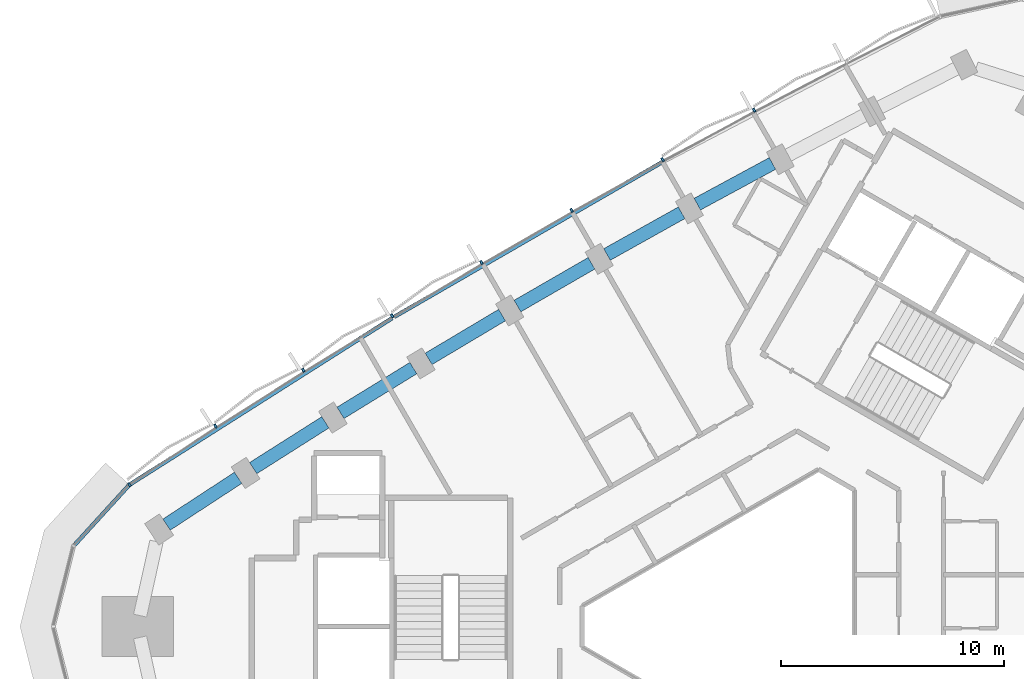
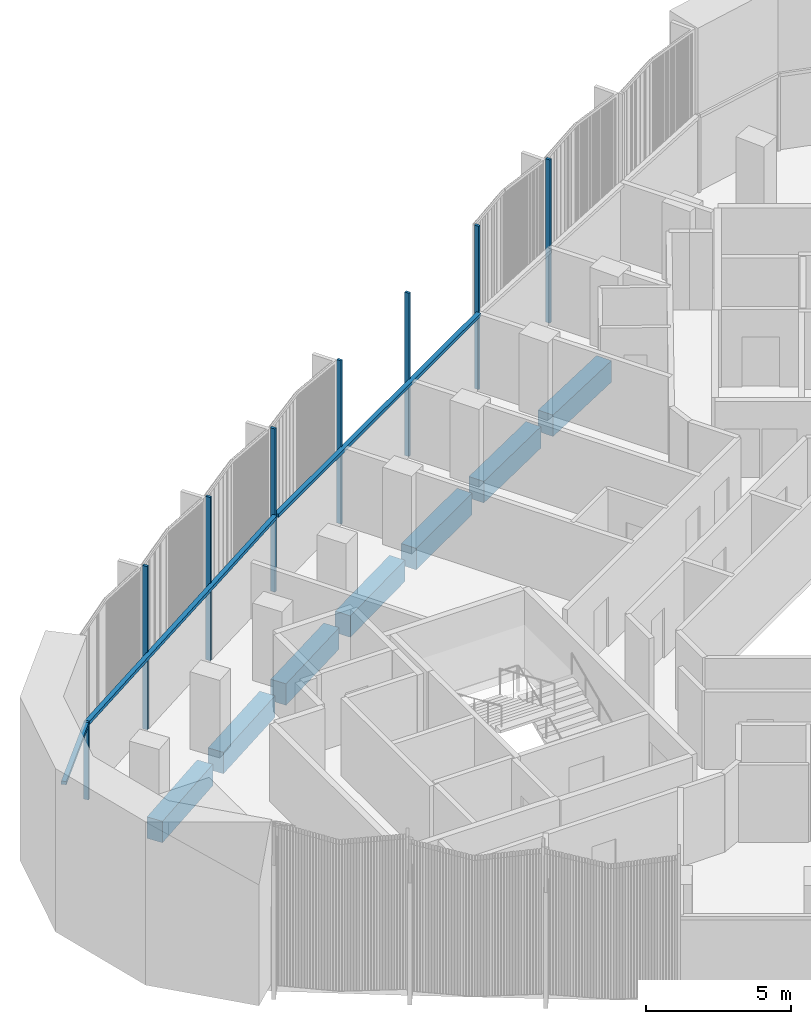
# One storey, part 4 of 14: 11 members, 7 beams, 1 element without a shape of its own.
"""IFC4 building model written with IfcOpenShell, lengths in metres."""

from ifc_helpers import new_model, si_unit, direction, frame, origin, origin_2d, place, context, subcontext, project, spatial, rectangle, extrude, material, material_profile, profile_set, type_object, element, aggregate, save


model = new_model("IFC4")

# Units and contexts
model_context = context("Model", 3, precision=1e-05, world=origin(), true_north=direction((0.0, 1.0)))
body_context = subcontext(model_context, "Body", "Model", "MODEL_VIEW")
ifc_project = project(units=[si_unit("LENGTHUNIT", "METRE"), si_unit("AREAUNIT", "SQUARE_METRE"), si_unit("VOLUMEUNIT", "CUBIC_METRE"), si_unit("PLANEANGLEUNIT", "RADIAN"), si_unit("MASSUNIT", "GRAM", prefix="KILO")], contexts=[model_context])

# Site, building, storey
site_placement = place(None, origin())
site = spatial("IfcSite", under=ifc_project, at=site_placement, CompositionType="ELEMENT")
building_placement = place(site_placement, origin())
building = spatial("IfcBuilding", under=site, at=building_placement, Name="Tamra Quay Hotel Tower", CompositionType="ELEMENT")
storey_placement = place(building_placement, frame((0.0, 0.0, 197.199951171875)))
storey = spatial("IfcBuildingStorey", under=building, at=storey_placement, Name="L49", CompositionType="ELEMENT", Elevation=197.199951171875)

# Curtain wall, members
ifc_material_1 = material(Name="Aluminium 6063 anodised dark grey", Category="aluminium")
curtain_wall_type = type_object("IfcCurtainWallType", Name="CW2 CURTAIN WALL", PredefinedType="NOTDEFINED", material=ifc_material_1)
curtain_wall_placement = place(storey_placement, origin())
curtain_wall = element("IfcCurtainWall", 1, at=curtain_wall_placement, inside=storey, type_object=curtain_wall_type, Name="CW2 north-west face L49", PredefinedType="NOTDEFINED")
ifc_material_profile_1 = material_profile(ifc_material_1, rectangle(XDim=0.179931640625, YDim=0.10009765625, at=origin_2d()), Name="MULLION 100X180")
ifc_profile_set_1 = profile_set([ifc_material_profile_1], Name="Aluminium 6063 anodised dark grey")
member_type_1 = type_object("IfcMemberType", Name="MULLION CW2 Z4", PredefinedType="MULLION", material=ifc_profile_set_1)
member_1_placement = place(storey_placement, frame((0.10400390625, 23.175537109375, 0.0), z_axis=(0.0, 0.0, 1.0), x_axis=(-0.469667944168, 0.882843147009, 0.0)))
member_1 = element("IfcMember", 2, at=member_1_placement, type_object=member_type_1, Name="CW2 mullion L49.NW.3", PredefinedType="MULLION", context=body_context, shape_type="SweptSolid", body=[
    extrude(rectangle(XDim=0.179931640625, YDim=0.10009765625, at=origin_2d()), origin(), (0.0, 0.0, 1.0), 6.85009765625),
])
member_2_placement = place(storey_placement, frame((-4.004638671875, 20.953369140625, 0.0), z_axis=(0.0, 0.0, 1.0), x_axis=(-0.481860510023, 0.876247938017, 0.0)))
member_2 = element("IfcMember", 3, at=member_2_placement, type_object=member_type_1, Name="CW2 mullion L49.NW.4", PredefinedType="MULLION", context=body_context, shape_type="SweptSolid", body=[
    extrude(rectangle(XDim=0.179931640625, YDim=0.10009765625, at=origin_2d()), origin(), (0.0, 0.0, 1.0), 6.85009765625),
])
member_3_placement = place(storey_placement, frame((-8.083251953125, 18.67333984375, 0.0), z_axis=(0.0, 0.0, 1.0), x_axis=(-0.49397478702, 0.869476227271, 0.0)))
member_3 = element("IfcMember", 4, at=member_3_placement, type_object=member_type_1, Name="CW2 mullion L49.NW.5", PredefinedType="MULLION", context=body_context, shape_type="SweptSolid", body=[
    extrude(rectangle(XDim=0.179931640625, YDim=0.10009765625, at=origin_2d()), origin(), (0.0, 0.0, 1.0), 6.85009765625),
])
member_4_placement = place(storey_placement, frame((-12.1298828125, 16.3369140625, 0.0), z_axis=(0.0, 0.0, 1.0), x_axis=(-0.506001107293, 0.862532828023, 0.0)))
member_4 = element("IfcMember", 5, at=member_4_placement, type_object=member_type_1, Name="CW2 mullion L49.NW.6", PredefinedType="MULLION", context=body_context, shape_type="SweptSolid", body=[
    extrude(rectangle(XDim=0.179931640625, YDim=0.10009765625, at=origin_2d()), origin(), (0.0, 0.0, 1.0), 6.85009765625),
])
member_5_placement = place(storey_placement, frame((-16.143798828125, 13.94482421875, 0.0), z_axis=(0.0, 0.0, 1.0), x_axis=(-0.517922719325, 0.85542741177, 0.0)))
member_5 = element("IfcMember", 6, at=member_5_placement, type_object=member_type_1, Name="CW2 mullion L49.NW.7", PredefinedType="MULLION", context=body_context, shape_type="SweptSolid", body=[
    extrude(rectangle(XDim=0.179931640625, YDim=0.10009765625, at=origin_2d()), origin(), (0.0, 0.0, 1.0), 6.85009765625),
])
member_6_placement = place(storey_placement, frame((-20.12255859375, 11.497802734375, 0.0), z_axis=(0.0, 0.0, 1.0), x_axis=(-0.529730620783, 0.848165944497, 0.0)))
member_6 = element("IfcMember", 7, at=member_6_placement, type_object=member_type_1, Name="CW2 mullion L49.NW.8", PredefinedType="MULLION", context=body_context, shape_type="SweptSolid", body=[
    extrude(rectangle(XDim=0.179931640625, YDim=0.10009765625, at=origin_2d()), origin(), (0.0, 0.0, 1.0), 6.85009765625),
])
member_7_placement = place(storey_placement, frame((-24.068603515625, 8.9951171875, 0.0), z_axis=(0.0, 0.0, 1.0), x_axis=(-0.541421307524, 0.840751430423, 0.0)))
member_7 = element("IfcMember", 8, at=member_7_placement, type_object=member_type_1, Name="CW2 mullion L49.NW.9", PredefinedType="MULLION", context=body_context, shape_type="SweptSolid", body=[
    extrude(rectangle(XDim=0.179931640625, YDim=0.10009765625, at=origin_2d()), origin(), (0.0, 0.0, 1.0), 6.85009765625),
])
member_8_placement = place(storey_placement, frame((-27.928955078125, 6.36376953125, 0.0), z_axis=(0.0, 0.0, 1.0), x_axis=(-0.648381091282, 0.76131593998, 0.0)))
member_8 = element("IfcMember", 9, at=member_8_placement, type_object=member_type_1, Name="CW2 mullion L49.NW.10", PredefinedType="MULLION", context=body_context, shape_type="SweptSolid", body=[
    extrude(rectangle(XDim=0.179931640625, YDim=0.10009765625, at=origin_2d()), origin(), (0.0, 0.0, 1.0), 3.25),
])

# Beams
ifc_material_2 = material(Name="Concrete M60", Category="concrete")
ifc_material_profile_2 = material_profile(ifc_material_2, rectangle(XDim=0.60009765625, YDim=0.89990234375, at=origin_2d()), Name="SPANDREL BEAM RC 600x900")
ifc_profile_set_2 = profile_set([ifc_material_profile_2], Name="Concrete M60")
beam_type = type_object("IfcBeamType", Name="SPANDREL BEAM RC 600x900", PredefinedType="SPANDREL", material=ifc_profile_set_2)
beam_1_placement = place(storey_placement, frame((0.927490234375, 20.77783203125, -0.800048828125), z_axis=(-0.879589264525, -0.475733881211, 0.0), x_axis=(0.475733881211, -0.879589264525, 0.0)))
element("IfcBeam", 10, at=beam_1_placement, inside=storey, type_object=beam_type, Name="BM-SP4-013-L49", PredefinedType="SPANDREL", context=body_context, shape_type="SweptSolid", body=[
    extrude(rectangle(XDim=0.60009765625, YDim=0.89990234375, at=origin_2d()), origin(), (0.0, 0.0, 1.0), 3.838134765625),
])
for number, where, z_axis, x_axis, name in (
    (11, (-3.1494140625, 18.56640625, -0.800048828125), (-0.872890885292, -0.487915466422, 0.0), (0.487915466422, -0.872890885292, 0.0), "BM-SP4-014-L49"),
    (12, (-7.194580078125, 16.298828125, -0.800048828125), (-0.866022424722, -0.500005159851, 0.0), (0.500005159851, -0.866022424722, 0.0), "BM-SP4-015-L49"),
):
    element("IfcBeam", number, at=place(storey_placement, frame(where, z_axis=z_axis, x_axis=x_axis)), inside=storey, type_object=beam_type, Name=name, PredefinedType="SPANDREL", context=body_context, shape_type="SweptSolid", body=[
        extrude(rectangle(XDim=0.60009765625, YDim=0.89990234375, at=origin_2d()), origin(), (0.0, 0.0, 1.0), 3.83740234375),
    ])
beam_2_placement = place(storey_placement, frame((-11.2080078125, 13.975341796875, -0.800048828125), z_axis=(-0.858982487636, -0.512004966708, 0.0), x_axis=(0.512004966708, -0.858982487636, 0.0)))
element("IfcBeam", 13, at=beam_2_placement, inside=storey, type_object=beam_type, Name="BM-SP4-016-L49", PredefinedType="SPANDREL", context=body_context, shape_type="SweptSolid", body=[
    extrude(rectangle(XDim=0.60009765625, YDim=0.89990234375, at=origin_2d()), origin(), (0.0, 0.0, 1.0), 3.837646484375),
])
beam_3_placement = place(storey_placement, frame((-15.188720703125, 11.59619140625, -0.800048828125), z_axis=(-0.851817714835, -0.523838315411, 0.0), x_axis=(0.523838315411, -0.851817714835, 0.0)))
element("IfcBeam", 14, at=beam_3_placement, inside=storey, type_object=beam_type, Name="BM-SP4-017-L49", PredefinedType="SPANDREL", context=body_context, shape_type="SweptSolid", body=[
    extrude(rectangle(XDim=0.60009765625, YDim=0.89990234375, at=origin_2d()), origin(), (0.0, 0.0, 1.0), 3.837890625),
])
for number, where, z_axis, x_axis, name in (
    (15, (-19.136474609375, 9.162109375, -0.800048828125), (-0.844469978785, -0.535602889211, 0.0), (0.535602889211, -0.844469978785, 0.0), "BM-SP4-018-L49"),
    (16, (-23.0498046875, 6.673583984375, -0.800048828125), (-0.836969613974, -0.547249362983, 0.0), (0.547249362983, -0.836969613974, 0.0), "BM-SP4-019-L49"),
):
    element("IfcBeam", number, at=place(storey_placement, frame(where, z_axis=z_axis, x_axis=x_axis)), inside=storey, type_object=beam_type, Name=name, PredefinedType="SPANDREL", context=body_context, shape_type="SweptSolid", body=[
        extrude(rectangle(XDim=0.60009765625, YDim=0.89990234375, at=origin_2d()), origin(), (0.0, 0.0, 1.0), 3.837646484375),
    ])

# Member
ifc_material_profile_3 = material_profile(ifc_material_1, rectangle(XDim=0.179931640625, YDim=0.139892578125, at=origin_2d()), Name="TRANSOM 180X140")
ifc_profile_set_3 = profile_set([ifc_material_profile_3], Name="Aluminium 6063 anodised dark grey")
member_type_2 = type_object("IfcMemberType", Name="TRANSOM CW2 Z4", PredefinedType="USERDEFINED", material=ifc_profile_set_3)
member_9_placement = place(storey_placement, frame((-4.0048828125, 20.85009765625, 3.179931640625), z_axis=(-0.866021948021, -0.50000598551, 0.0), x_axis=(0.50000598551, -0.866021948021, 0.0)))
member_9 = element("IfcMember", 17, at=member_9_placement, type_object=member_type_2, Name="CW2 transom L49.NW.4", ObjectType="TRANSOM", PredefinedType="USERDEFINED", context=body_context, shape_type="SweptSolid", body=[
    extrude(rectangle(XDim=0.179931640625, YDim=0.139892578125, at=origin_2d()), origin(), (0.0, 0.0, 1.0), 13.913330078125),
])

member_10_placement = place(storey_placement, frame((-16.1396484375, 13.841552734375, 3.179931640625), z_axis=(-0.844483603588, -0.535581406764, 0.0), x_axis=(0.535581406764, -0.844483603588, 0.0)))
member_10 = element("IfcMember", 18, at=member_10_placement, type_object=member_type_2, Name="CW2 transom L49.NW.7", ObjectType="TRANSOM", PredefinedType="USERDEFINED", context=body_context, shape_type="SweptSolid", body=[
    extrude(rectangle(XDim=0.179931640625, YDim=0.139892578125, at=origin_2d()), origin(), (0.0, 0.0, 1.0), 13.910888671875),
])

member_11_placement = place(storey_placement, frame((-27.962646484375, 6.32666015625, 3.179931640625), z_axis=(-0.673497359226, -0.739189628658, 0.0), x_axis=(0.739189628658, -0.673497359226, 0.0)))
member_11 = element("IfcMember", 19, at=member_11_placement, type_object=member_type_2, Name="CW2 transom L49.NW.10", ObjectType="TRANSOM", PredefinedType="USERDEFINED", context=body_context, shape_type="SweptSolid", body=[
    extrude(rectangle(XDim=0.179931640625, YDim=0.139892578125, at=origin_2d()), origin(), (0.0, 0.0, 1.0), 3.62353515625),
])

aggregate(curtain_wall, [member_1, member_2, member_9, member_3, member_4, member_5, member_10, member_6, member_7, member_8, member_11])

save(model, "model.ifc")
